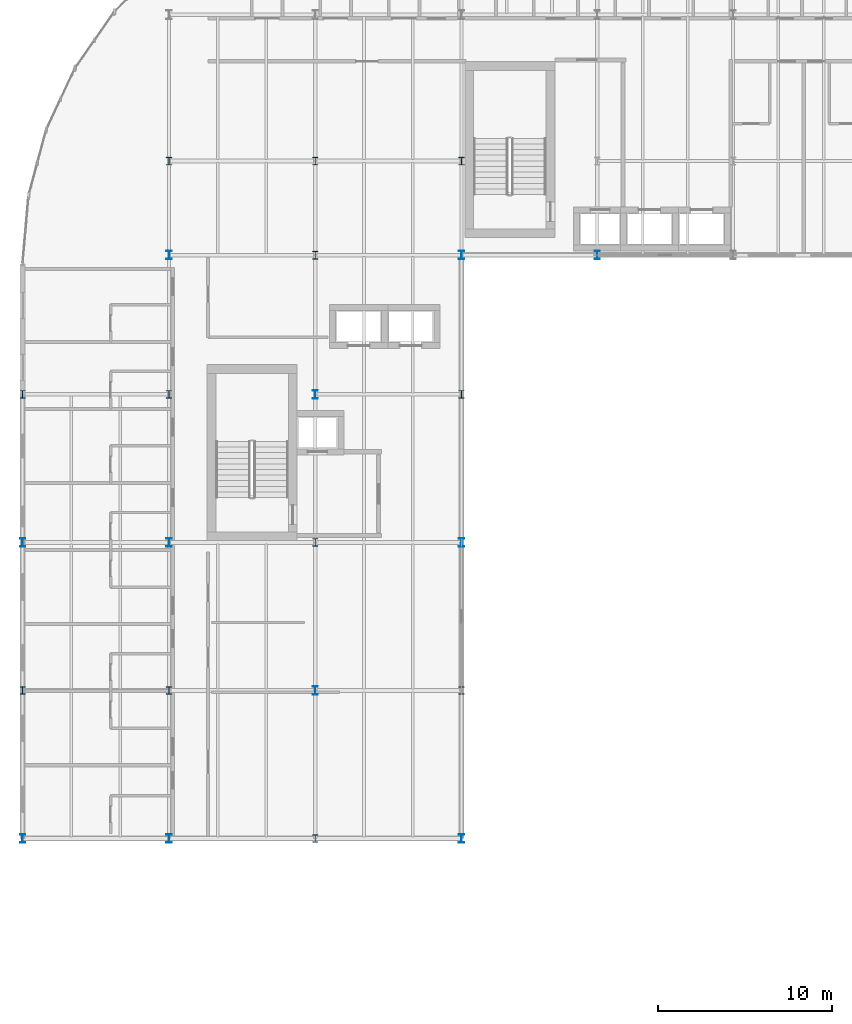
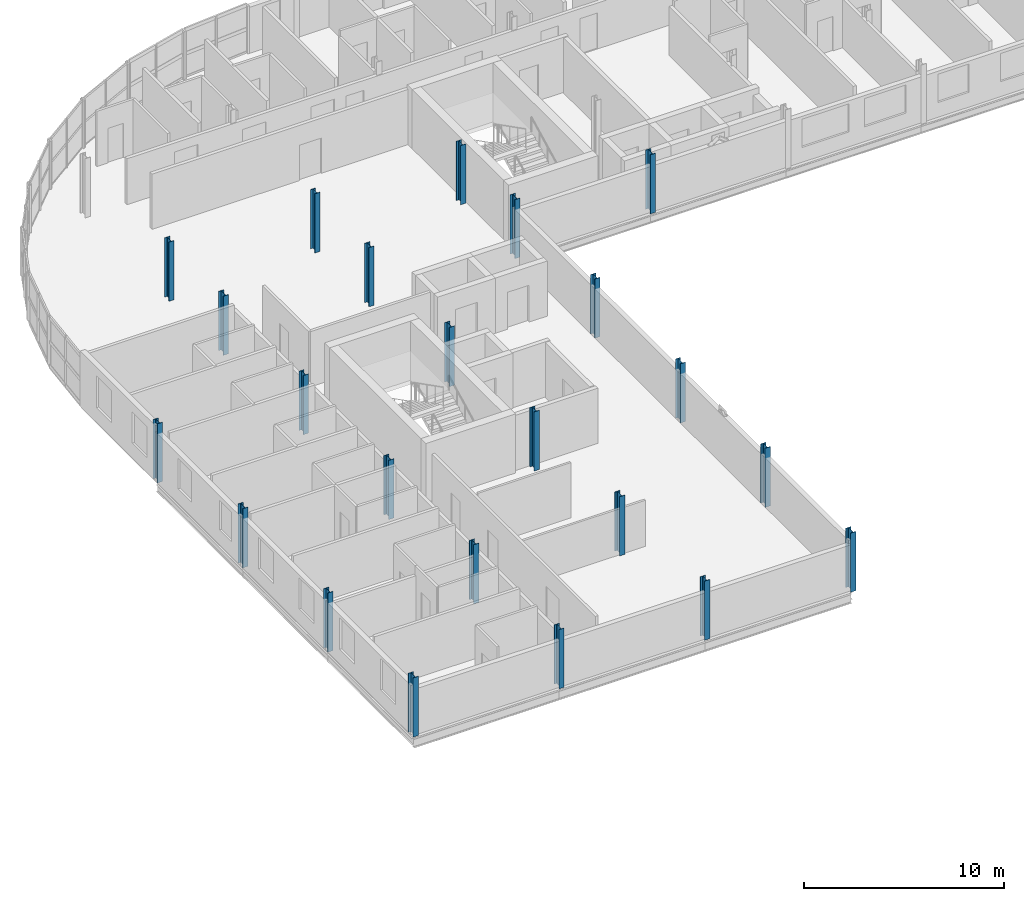
# One storey, part 1 of 36: 23 columns.
"""IFC4 building model written with IfcOpenShell, lengths in metres."""

from ifc_helpers import new_model, si_unit, direction, frame, origin, origin_2d, place, context, subcontext, project, spatial, i_section, extrude, material, material_profile, profile_set, type_object, element, save


model = new_model("IFC4")

# Units and contexts
model_context = context("Model", 3, precision=1e-05, world=origin(), true_north=direction((0.0, 1.0)))
body_context = subcontext(model_context, "Body", "Model", "MODEL_VIEW")
ifc_project = project(units=[si_unit("LENGTHUNIT", "METRE"), si_unit("AREAUNIT", "SQUARE_METRE"), si_unit("VOLUMEUNIT", "CUBIC_METRE"), si_unit("PLANEANGLEUNIT", "RADIAN"), si_unit("MASSUNIT", "GRAM", prefix="KILO")], contexts=[model_context])

# Site, building, storey
site_placement = place(None, origin())
site = spatial("IfcSite", under=ifc_project, at=site_placement, CompositionType="ELEMENT")
building_placement = place(site_placement, origin())
building = spatial("IfcBuilding", under=site, at=building_placement, Name="Sefraquen Railside Congress Hotel", CompositionType="ELEMENT")
storey_placement = place(building_placement, frame((0.0, 0.0, 28.199951171875)))
storey = spatial("IfcBuildingStorey", under=building, at=storey_placement, Name="L06", CompositionType="ELEMENT", Elevation=28.199951171875)

# Columns
ifc_material = material(Name="Steel S355JR", Category="steel")
ifc_material_profile_1 = material_profile(ifc_material, i_section(OverallWidth=0.300048828125, OverallDepth=0.449951171875, WebThickness=0.013916015625, FlangeThickness=0.02587890625, FilletRadius=0.027099609375, at=origin_2d()), Name="HEB 450")
ifc_profile_set_1 = profile_set([ifc_material_profile_1], Name="Steel S355JR")
column_type_1 = type_object("IfcColumnType", Name="TC-HEB-450", PredefinedType="COLUMN", material=ifc_profile_set_1)
for number, where, z_axis, x_axis, name in (
    (1, (0.0, 71.0, 0.0), (0.0, 0.0, 1.0), (1.0, 0.0, 0.0), "Structural column 1-J L06"),
    (2, (0.0, 88.0, 0.0), (0.0, 0.0, 1.0), (1.0, 0.0, 0.0), "Structural column 1-L L06"),
    (3, (8.39990234375, 71.0, 0.0), (0.0, 0.0, 1.0), (1.0, 0.0, 0.0), "Structural column 2-J L06"),
    (4, (8.39990234375, 88.0, 0.0), (0.0, 0.0, 1.0), (1.0, 0.0, 0.0), "Structural column 2-L L06"),
    (5, (16.800048828125, 62.5, 0.0), (0.0, 0.0, 1.0), (1.0, 0.0, 0.0), "Structural column 3-H L06"),
    (6, (16.800048828125, 79.5, 0.0), (0.0, 0.0, 1.0), (1.0, 0.0, 0.0), "Structural column 3-K L06"),
    (7, (16.800048828125, 96.0, 0.0), (0.0, 0.0, 1.0), (1.0, 0.0, 0.0), "Structural column 3-M L06"),
    (8, (25.199951171875, 71.0, 0.0), (0.0, 0.0, 1.0), (1.0, 0.0, 0.0), "Structural column 4-J L06"),
    (9, (25.199951171875, 88.0, 0.0), (0.0, 0.0, 1.0), (1.0, 0.0, 0.0), "Structural column 4-L L06"),
    (10, (8.39990234375, 101.39990234375, 0.0), (0.0, 0.0, 1.0), (1.0, 0.0, 0.0), "Structural column 2-N L06"),
    (11, (16.800048828125, 101.39990234375, 0.0), (0.0, 0.0, 1.0), (1.0, 0.0, 0.0), "Structural column 3-N L06"),
    (12, (25.199951171875, 101.39990234375, 0.0), (0.0, 0.0, 1.0), (1.0, 0.0, 0.0), "Structural column 4-N L06"),
):
    element("IfcColumn", number, at=place(storey_placement, frame(where, z_axis=z_axis, x_axis=x_axis)), inside=storey, type_object=column_type_1, Name=name, PredefinedType="COLUMN", context=body_context, shape_type="SweptSolid", body=[
        extrude(i_section(OverallWidth=0.300048828125, OverallDepth=0.449951171875, WebThickness=0.013916015625, FlangeThickness=0.02587890625, FilletRadius=0.027099609375, at=origin_2d()), origin(), (0.0, 0.0, 1.0), 3.60009765625),
    ])
ifc_material_profile_2 = material_profile(ifc_material, i_section(OverallWidth=0.300048828125, OverallDepth=0.5, WebThickness=0.014404296875, FlangeThickness=0.028076171875, FilletRadius=0.027099609375, at=origin_2d()), Name="HEB 500")
ifc_profile_set_2 = profile_set([ifc_material_profile_2], Name="Steel S355JR")
column_type_2 = type_object("IfcColumnType", Name="TC-HEB-500", PredefinedType="COLUMN", material=ifc_profile_set_2)
for number, where, z_axis, x_axis, name in (
    (13, (0.0, 62.5, 0.0), (0.0, 0.0, 1.0), (1.0, 0.0, 0.0), "Structural column 1-H L06"),
    (14, (0.0, 79.5, 0.0), (0.0, 0.0, 1.0), (1.0, 0.0, 0.0), "Structural column 1-K L06"),
    (15, (8.39990234375, 62.5, 0.0), (0.0, 0.0, 1.0), (1.0, 0.0, 0.0), "Structural column 2-H L06"),
    (16, (8.39990234375, 79.5, 0.0), (0.0, 0.0, 1.0), (1.0, 0.0, 0.0), "Structural column 2-K L06"),
    (17, (8.39990234375, 96.0, 0.0), (0.0, 0.0, 1.0), (1.0, 0.0, 0.0), "Structural column 2-M L06"),
    (18, (16.800048828125, 71.0, 0.0), (0.0, 0.0, 1.0), (1.0, 0.0, 0.0), "Structural column 3-J L06"),
    (19, (16.800048828125, 88.0, 0.0), (0.0, 0.0, 1.0), (1.0, 0.0, 0.0), "Structural column 3-L L06"),
    (20, (25.199951171875, 62.5, 0.0), (0.0, 0.0, 1.0), (1.0, 0.0, 0.0), "Structural column 4-H L06"),
    (21, (25.199951171875, 79.5, 0.0), (0.0, 0.0, 1.0), (1.0, 0.0, 0.0), "Structural column 4-K L06"),
    (22, (25.199951171875, 96.0, 0.0), (0.0, 0.0, 1.0), (1.0, 0.0, 0.0), "Structural column 4-M L06"),
    (23, (33.0, 96.0, 0.0), (0.0, 0.0, 1.0), (1.0, 0.0, 0.0), "Structural column 5-M L06"),
):
    element("IfcColumn", number, at=place(storey_placement, frame(where, z_axis=z_axis, x_axis=x_axis)), inside=storey, type_object=column_type_2, Name=name, PredefinedType="COLUMN", context=body_context, shape_type="SweptSolid", body=[
        extrude(i_section(OverallWidth=0.300048828125, OverallDepth=0.5, WebThickness=0.014404296875, FlangeThickness=0.028076171875, FilletRadius=0.027099609375, at=origin_2d()), origin(), (0.0, 0.0, 1.0), 3.60009765625),
    ])

save(model, "model.ifc")
